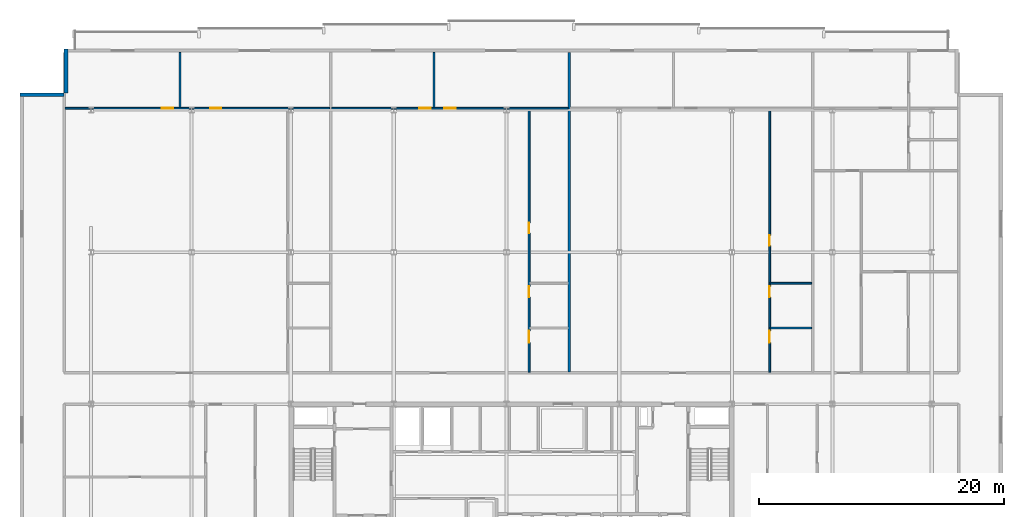
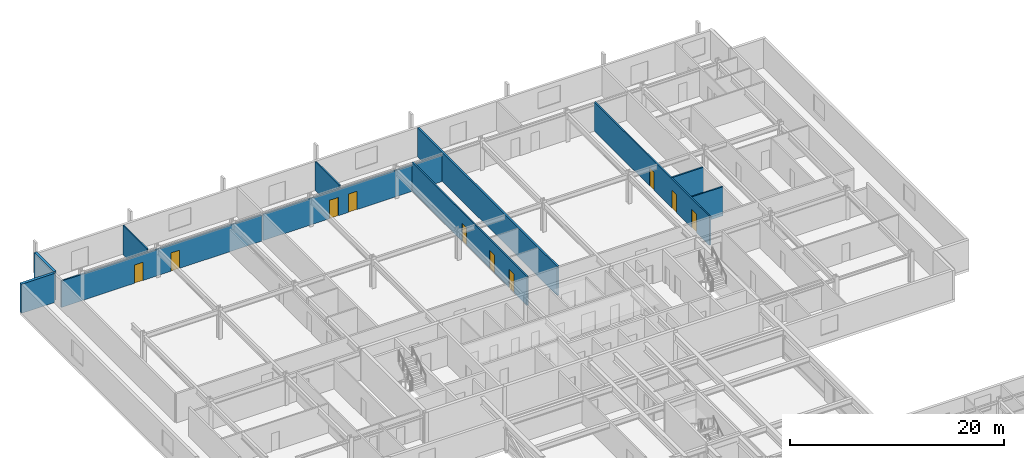
# One storey, part 26 of 35: 11 walls, 10 doors, 10 openings.
"""IFC4 building model written with IfcOpenShell, lengths in metres."""

from ifc_helpers import new_model, si_unit, direction, frame, frame_2d, origin, place, context, subcontext, project, spatial, rectangle, extrude, material, layer, layer_set, type_object, element, fill, save


model = new_model("IFC4")

# Units and contexts
model_context = context("Model", 3, precision=1e-05, world=origin(), true_north=direction((0.0, 1.0)))
body_context = subcontext(model_context, "Body", "Model", "MODEL_VIEW")
ifc_project = project(units=[si_unit("LENGTHUNIT", "METRE"), si_unit("AREAUNIT", "SQUARE_METRE"), si_unit("VOLUMEUNIT", "CUBIC_METRE"), si_unit("PLANEANGLEUNIT", "RADIAN"), si_unit("MASSUNIT", "GRAM", prefix="KILO")], contexts=[model_context])

# Site, building, storey
site_placement = place(None, origin())
site = spatial("IfcSite", under=ifc_project, at=site_placement, CompositionType="ELEMENT")
building_placement = place(site_placement, origin())
building = spatial("IfcBuilding", under=site, at=building_placement, Name="Korimba Cascade Residences", CompositionType="ELEMENT")
storey_placement = place(building_placement, frame((0.0, 0.0, 150.10009765625)))
storey = spatial("IfcBuildingStorey", under=building, at=storey_placement, Name="L43", CompositionType="ELEMENT", Elevation=150.10009765625)

# Walls
ifc_material_1 = material(Name="Precast concrete C40/50", Category="concrete")
ifc_layer_1 = layer(ifc_material_1, 0.300048828125)
ifc_layer_set_1 = layer_set([ifc_layer_1], Name="Precast concrete C40/50")
wall_type_1 = type_object("IfcWallType", Name="EW-STONE-300", PredefinedType="STANDARD", material=ifc_layer_set_1)
wall_1_placement = place(storey_placement, frame((57.75, 96.199951171875, 0.0), z_axis=(0.0, 0.0, 1.0), x_axis=(0.0, -1.0, 0.0)))
element("IfcWall", 1, at=wall_1_placement, inside=storey, type_object=wall_type_1, Name="L43 T1 Perimeter Stone Wall E07", PredefinedType="STANDARD", context=body_context, shape_type="SweptSolid", body=[
    extrude(rectangle(XDim=3.599853515625, YDim=0.300048828125, at=frame_2d((1.7998046875, 0.0))), origin(), (0.0, 0.0, 1.0), 3.309814453125),
])
wall_2_placement = place(storey_placement, frame((57.60009765625, 92.449951171875, 0.0), z_axis=(0.0, 0.0, 1.0), x_axis=(-1.0, 0.0, 0.0)))
element("IfcWall", 2, at=wall_2_placement, inside=storey, type_object=wall_type_1, Name="L43 T1 Perimeter Stone Wall E08", PredefinedType="STANDARD", context=body_context, shape_type="SweptSolid", body=[
    extrude(rectangle(XDim=3.60009765625, YDim=0.300048828125, at=frame_2d((1.800048828125, 0.0))), origin(), (0.0, 0.0, 1.0), 3.309814453125),
])
ifc_layer_2 = layer(ifc_material_1, 0.199951171875)
ifc_layer_set_2 = layer_set([ifc_layer_2], Name="Precast concrete C40/50")
wall_type_2 = type_object("IfcWallType", Name="WAL-IT-200", PredefinedType="PARTITIONING", material=ifc_layer_set_2)
wall_3_placement = place(storey_placement, frame((98.816162109375, 69.830078125, 0.0), z_axis=(0.0, 0.0, 1.0), x_axis=(0.0, 1.0, 0.0)))
element("IfcWall", 3, at=wall_3_placement, inside=storey, type_object=wall_type_2, Name="L43 Partition Wall WAL-L43-T1-DEM-2", PredefinedType="PARTITIONING", context=body_context, shape_type="SweptSolid", body=[
    extrude(rectangle(XDim=26.06982421875, YDim=0.199951171875, at=frame_2d((13.034912109375, 0.0))), origin(), (0.0, 0.0, 1.0), 3.309814453125),
])
ifc_material_2 = material(Name="Insulated Acoustic Stud Partition", Category="gypsum")
ifc_layer_3 = layer(ifc_material_2, 0.14990234375)
ifc_layer_set_3 = layer_set([ifc_layer_3], Name="Insulated Acoustic Stud Partition")
wall_type_3 = type_object("IfcWallType", Name="WAL-PART-150", PredefinedType="PARTITIONING", material=ifc_layer_set_3)
wall_4_placement = place(storey_placement, frame((67.05859375, 91.429931640625, 0.0), z_axis=(0.0, 0.0, 1.0), x_axis=(0.0, 1.0, 0.0)))
element("IfcWall", 4, at=wall_4_placement, inside=storey, type_object=wall_type_3, Name="L43 Partition Wall WAL-L43-T1-U01-OUTV", PredefinedType="PARTITIONING", context=body_context, shape_type="SweptSolid", body=[
    extrude(rectangle(XDim=4.469970703125, YDim=0.14990234375, at=frame_2d((2.23486328125, 0.0))), origin(), (0.0, 0.0, 1.0), 3.309814453125),
])

# Wall, openings, doors
wall_5_placement = place(storey_placement, frame((57.679931640625, 91.35009765625, 0.0), z_axis=(0.0, 0.0, 1.0), x_axis=(1.0, 0.0, 0.0)))
wall_5 = element("IfcWall", 5, at=wall_5_placement, inside=storey, type_object=wall_type_3, Name="L43 Partition Wall WAL-L43-T1-U01-HZ", PredefinedType="PARTITIONING", context=body_context, shape_type="SweptSolid", body=[
    extrude(rectangle(XDim=21.59716796875, YDim=0.14990234375, at=frame_2d((10.798583984375, 0.0))), origin(), (0.0, 0.0, 1.0), 3.00341796875),
])
opening_1_placement = place(wall_5_placement, frame((7.89013671875, 0.0, 0.0)))
opening_1 = element("IfcOpeningElement", 6, at=opening_1_placement, cuts=wall_5, Name="Opening D-ST1", PredefinedType="OPENING", context=body_context, shape_type="SweptSolid", body=[
    extrude(rectangle(XDim=0.919921875, YDim=2.080078125, at=frame_2d((0.4599609375, 1.0400390625))), frame((0.0, 0.0849609375, 0.0), z_axis=(0.0, -1.0, 0.0), x_axis=(1.0, 0.0, 0.0)), (0.0, 0.0, 1.0), 0.169921875),
])
opening_2_placement = place(wall_5_placement, frame((11.842041015625, 0.0, 0.0)))
opening_2 = element("IfcOpeningElement", 7, at=opening_2_placement, cuts=wall_5, Name="Opening D-ST1", PredefinedType="OPENING", context=body_context, shape_type="SweptSolid", body=[
    extrude(rectangle(XDim=0.919921875, YDim=2.080078125, at=frame_2d((0.4599609375, 1.0400390625))), frame((0.0, 0.0849609375, 0.0), z_axis=(0.0, -1.0, 0.0), x_axis=(1.0, 0.0, 0.0)), (0.0, 0.0, 1.0), 0.169921875),
])
ifc_material_3 = material(Name="Fire-Rated Core Store Door", Category="wood")
door_type_1 = type_object("IfcDoorType", Name="DR-FD60-920", OperationType="NOTDEFINED", PredefinedType="DOOR", material=ifc_material_3)
door_1_placement = place(opening_1_placement, origin())
door_1 = element("IfcDoor", 8, at=door_1_placement, inside=storey, type_object=door_type_1, Name="L43-T1-U01 Sky Lobby Concierge Door", OperationType="SINGLE_SWING_LEFT", OverallHeight=2.080078125, OverallWidth=0.919921875, PredefinedType="DOOR", context=body_context, shape_type="SweptSolid", body=[
    extrude(rectangle(XDim=0.919921875, YDim=2.080078125, at=frame_2d((0.4599609375, 1.0400390625))), frame((0.0, 0.02490234375, 0.0), z_axis=(0.0, -1.0, 0.0), x_axis=(1.0, 0.0, 0.0)), (0.0, 0.0, 1.0), 0.050048828125),
])
fill(opening_1, door_1)
door_2_placement = place(opening_2_placement, origin())
door_2 = element("IfcDoor", 9, at=door_2_placement, inside=storey, type_object=door_type_1, Name="L43-T1-U01 Horizon Observation Atrium Door", OperationType="SINGLE_SWING_RIGHT", OverallHeight=2.080078125, OverallWidth=0.919921875, PredefinedType="DOOR", context=body_context, shape_type="SweptSolid", body=[
    extrude(rectangle(XDim=0.919921875, YDim=2.080078125, at=frame_2d((0.4599609375, 1.0400390625))), frame((0.0, 0.02490234375, 0.0), z_axis=(0.0, -1.0, 0.0), x_axis=(1.0, 0.0, 0.0)), (0.0, 0.0, 1.0), 0.050048828125),
])
fill(opening_2, door_2)

wall_6_placement = place(storey_placement, frame((95.546142578125, 69.81005859375, 0.0), z_axis=(0.0, 0.0, 1.0), x_axis=(0.0, 1.0, 0.0)))
wall_6 = element("IfcWall", 10, at=wall_6_placement, inside=storey, type_object=wall_type_3, Name="L43 Partition Wall WAL-L43-T1-U02-WCV", PredefinedType="PARTITIONING", context=body_context, shape_type="SweptSolid", body=[
    extrude(rectangle(XDim=21.47998046875, YDim=0.14990234375, at=frame_2d((10.739990234375, 0.0))), origin(), (0.0, 0.0, 1.0), 3.309814453125),
])
opening_3_placement = place(wall_6_placement, frame((2.406005859375, 0.0, 0.0)))
opening_3 = element("IfcOpeningElement", 11, at=opening_3_placement, cuts=wall_6, Name="Opening D-AC1", PredefinedType="OPENING", context=body_context, shape_type="SweptSolid", body=[
    extrude(rectangle(XDim=0.9599609375, YDim=2.10009765625, at=frame_2d((0.47998046875, 1.050048828125))), frame((0.0, 0.0849609375, 0.0), z_axis=(0.0, -1.0, 0.0), x_axis=(1.0, 0.0, 0.0)), (0.0, 0.0, 1.0), 0.169921875),
])
opening_4_placement = place(wall_6_placement, frame((6.132568359375, 0.0, 0.0)))
opening_4 = element("IfcOpeningElement", 12, at=opening_4_placement, cuts=wall_6, Name="Opening D-IN2", PredefinedType="OPENING", context=body_context, shape_type="SweptSolid", body=[
    extrude(rectangle(XDim=0.8798828125, YDim=2.06005859375, at=frame_2d((0.43994140625, 1.030029296875))), frame((0.0, 0.0849609375, 0.0), z_axis=(0.0, -1.0, 0.0), x_axis=(1.0, 0.0, 0.0)), (0.0, 0.0, 1.0), 0.169921875),
])
opening_5_placement = place(wall_6_placement, frame((11.3359375, 0.0, 0.0)))
opening_5 = element("IfcOpeningElement", 13, at=opening_5_placement, cuts=wall_6, Name="Opening D-BT1", PredefinedType="OPENING", context=body_context, shape_type="SweptSolid", body=[
    extrude(rectangle(XDim=0.840087890625, YDim=2.0400390625, at=frame_2d((0.419921875, 1.02001953125))), frame((0.0, 0.0849609375, 0.0), z_axis=(0.0, -1.0, 0.0), x_axis=(1.0, 0.0, 0.0)), (0.0, 0.0, 1.0), 0.169921875),
])
ifc_material_4 = material(Name="Accessible Acoustic Timber WC Door", Category="wood")
door_type_2 = type_object("IfcDoorType", Name="DR-ACC-950", OperationType="NOTDEFINED", PredefinedType="DOOR", material=ifc_material_4)
door_3_placement = place(opening_3_placement, origin())
door_3 = element("IfcDoor", 14, at=door_3_placement, inside=storey, type_object=door_type_2, Name="L43-T1-U02 Accessible WC Door", OperationType="SINGLE_SWING_LEFT", OverallHeight=2.10009765625, OverallWidth=0.9599609375, PredefinedType="DOOR", context=body_context, shape_type="SweptSolid", body=[
    extrude(rectangle(XDim=0.9599609375, YDim=2.10009765625, at=frame_2d((0.47998046875, 1.050048828125))), frame((0.0, 0.02490234375, 0.0), z_axis=(0.0, -1.0, 0.0), x_axis=(1.0, 0.0, 0.0)), (0.0, 0.0, 1.0), 0.050048828125),
])
fill(opening_3, door_3)
ifc_material_5 = material(Name="Moisture-Resistant Bathroom Timber Door", Category="wood")
door_type_3 = type_object("IfcDoorType", Name="DR-INT-850", OperationType="NOTDEFINED", PredefinedType="DOOR", material=ifc_material_5)
door_4_placement = place(opening_5_placement, origin())
door_4 = element("IfcDoor", 15, at=door_4_placement, inside=storey, type_object=door_type_3, Name="L43-T1-U02 Suite Store Door", OperationType="SINGLE_SWING_LEFT", OverallHeight=2.0400390625, OverallWidth=0.840087890625, PredefinedType="DOOR", context=body_context, shape_type="SweptSolid", body=[
    extrude(rectangle(XDim=0.840087890625, YDim=2.0400390625, at=frame_2d((0.419921875, 1.02001953125))), frame((0.0, 0.02490234375, 0.0), z_axis=(0.0, -1.0, 0.0), x_axis=(1.0, 0.0, 0.0)), (0.0, 0.0, 1.0), 0.050048828125),
])
fill(opening_5, door_4)
ifc_material_6 = material(Name="Acoustic Timber Bedroom Door", Category="wood")
door_type_4 = type_object("IfcDoorType", Name="DR-INT-880", OperationType="NOTDEFINED", PredefinedType="DOOR", material=ifc_material_6)
door_5_placement = place(opening_4_placement, origin())
door_5 = element("IfcDoor", 16, at=door_5_placement, inside=storey, type_object=door_type_4, Name="L43-T1-U02 Restroom WC Door", OperationType="SINGLE_SWING_RIGHT", OverallHeight=2.06005859375, OverallWidth=0.8798828125, PredefinedType="DOOR", context=body_context, shape_type="SweptSolid", body=[
    extrude(rectangle(XDim=0.8798828125, YDim=2.06005859375, at=frame_2d((0.43994140625, 1.030029296875))), frame((0.0, 0.02490234375, 0.0), z_axis=(0.0, -1.0, 0.0), x_axis=(1.0, 0.0, 0.0)), (0.0, 0.0, 1.0), 0.050048828125),
])
fill(opening_4, door_5)

# Wall
wall_7_placement = place(storey_placement, frame((87.781494140625, 91.429931640625, 0.0), z_axis=(0.0, 0.0, 1.0), x_axis=(0.0, 1.0, 0.0)))
element("IfcWall", 17, at=wall_7_placement, inside=storey, type_object=wall_type_3, Name="L43 Partition Wall WAL-L43-T1-U02-OUTV", PredefinedType="PARTITIONING", context=body_context, shape_type="SweptSolid", body=[
    extrude(rectangle(XDim=4.469970703125, YDim=0.14990234375, at=frame_2d((2.23486328125, 0.0))), origin(), (0.0, 0.0, 1.0), 3.309814453125),
])

# Wall, openings, doors
wall_8_placement = place(storey_placement, frame((79.43701171875, 91.35009765625, 0.0), z_axis=(0.0, 0.0, 1.0), x_axis=(1.0, 0.0, 0.0)))
wall_8 = element("IfcWall", 18, at=wall_8_placement, inside=storey, type_object=wall_type_3, Name="L43 Partition Wall WAL-L43-T1-U02-HZ", PredefinedType="PARTITIONING", context=body_context, shape_type="SweptSolid", body=[
    extrude(rectangle(XDim=19.299072265625, YDim=0.14990234375, at=frame_2d((9.6494140625, 0.0))), origin(), (0.0, 0.0, 1.0), 3.00341796875),
])
opening_6_placement = place(wall_8_placement, frame((7.154541015625, 0.0, 0.0)))
opening_6 = element("IfcOpeningElement", 19, at=opening_6_placement, cuts=wall_8, Name="Opening D-IN0", PredefinedType="OPENING", context=body_context, shape_type="SweptSolid", body=[
    extrude(rectangle(XDim=0.93994140625, YDim=2.10009765625, at=frame_2d((0.469970703125, 1.050048828125))), frame((0.0, 0.0849609375, 0.0), z_axis=(0.0, -1.0, 0.0), x_axis=(1.0, 0.0, 0.0)), (0.0, 0.0, 1.0), 0.169921875),
])
opening_7_placement = place(wall_8_placement, frame((9.179443359375, 0.0, 0.0)))
opening_7 = element("IfcOpeningElement", 20, at=opening_7_placement, cuts=wall_8, Name="Opening D-IN0", PredefinedType="OPENING", context=body_context, shape_type="SweptSolid", body=[
    extrude(rectangle(XDim=0.93994140625, YDim=2.10009765625, at=frame_2d((0.469970703125, 1.050048828125))), frame((0.0, 0.0849609375, 0.0), z_axis=(0.0, -1.0, 0.0), x_axis=(1.0, 0.0, 0.0)), (0.0, 0.0, 1.0), 0.169921875),
])
ifc_material_7 = material(Name="Acoustic Timber Living Archway Door", Category="wood")
door_type_5 = type_object("IfcDoorType", Name="DR-INT-950", OperationType="NOTDEFINED", PredefinedType="DOOR", material=ifc_material_7)
door_6_placement = place(opening_6_placement, origin())
door_6 = element("IfcDoor", 21, at=door_6_placement, inside=storey, type_object=door_type_5, Name="L43-T1-U02 Fitness Pilates Gym Door", OperationType="SINGLE_SWING_RIGHT", OverallHeight=2.10009765625, OverallWidth=0.93994140625, PredefinedType="DOOR", context=body_context, shape_type="SweptSolid", body=[
    extrude(rectangle(XDim=0.93994140625, YDim=2.10009765625, at=frame_2d((0.469970703125, 1.050048828125))), frame((0.0, 0.02490234375, 0.0), z_axis=(0.0, -1.0, 0.0), x_axis=(1.0, 0.0, 0.0)), (0.0, 0.0, 1.0), 0.050048828125),
])
fill(opening_6, door_6)
door_7_placement = place(opening_7_placement, origin())
door_7 = element("IfcDoor", 22, at=door_7_placement, inside=storey, type_object=door_type_5, Name="L43-T1-U02 Private Screening Cinema Door", OperationType="SINGLE_SWING_LEFT", OverallHeight=2.10009765625, OverallWidth=0.93994140625, PredefinedType="DOOR", context=body_context, shape_type="SweptSolid", body=[
    extrude(rectangle(XDim=0.93994140625, YDim=2.10009765625, at=frame_2d((0.469970703125, 1.050048828125))), frame((0.0, 0.02490234375, 0.0), z_axis=(0.0, -1.0, 0.0), x_axis=(1.0, 0.0, 0.0)), (0.0, 0.0, 1.0), 0.050048828125),
])
fill(opening_7, door_7)

# Walls
for number, where, z_axis, x_axis, name in (
    (23, (115.2373046875, 73.419921875, 0.0), (0.0, 0.0, 1.0), (1.0, 0.0, 0.0), "L43 Partition Wall WAL-L43-T1-U03-WCH"),
    (24, (115.2373046875, 77.070068359375, 0.0), (0.0, 0.0, 1.0), (1.0, 0.0, 0.0), "L43 Partition Wall WAL-L43-T1-U03-WCH2"),
):
    element("IfcWall", number, at=place(storey_placement, frame(where, z_axis=z_axis, x_axis=x_axis)), inside=storey, type_object=wall_type_3, Name=name, PredefinedType="PARTITIONING", context=body_context, shape_type="SweptSolid", body=[
        extrude(rectangle(XDim=3.35986328125, YDim=0.14990234375, at=frame_2d((1.679931640625, 0.0))), origin(), (0.0, 0.0, 1.0), 3.309814453125),
    ])

# Wall, openings, doors
wall_9_placement = place(storey_placement, frame((115.17724609375, 69.81005859375, 0.0), z_axis=(0.0, 0.0, 1.0), x_axis=(0.0, 1.0, 0.0)))
wall_9 = element("IfcWall", 25, at=wall_9_placement, inside=storey, type_object=wall_type_3, Name="L43 Partition Wall WAL-L43-T1-U03-WCV", PredefinedType="PARTITIONING", context=body_context, shape_type="SweptSolid", body=[
    extrude(rectangle(XDim=21.47998046875, YDim=0.14990234375, at=frame_2d((10.739990234375, 0.0))), origin(), (0.0, 0.0, 1.0), 3.309814453125),
])
opening_8_placement = place(wall_9_placement, frame((2.406005859375, 0.0, 0.0)))
opening_8 = element("IfcOpeningElement", 26, at=opening_8_placement, cuts=wall_9, Name="Opening D-AC1", PredefinedType="OPENING", context=body_context, shape_type="SweptSolid", body=[
    extrude(rectangle(XDim=0.9599609375, YDim=2.10009765625, at=frame_2d((0.47998046875, 1.050048828125))), frame((0.0, 0.0849609375, 0.0), z_axis=(0.0, -1.0, 0.0), x_axis=(1.0, 0.0, 0.0)), (0.0, 0.0, 1.0), 0.169921875),
])
opening_9_placement = place(wall_9_placement, frame((6.132568359375, 0.0, 0.0)))
opening_9 = element("IfcOpeningElement", 27, at=opening_9_placement, cuts=wall_9, Name="Opening D-IN2", PredefinedType="OPENING", context=body_context, shape_type="SweptSolid", body=[
    extrude(rectangle(XDim=0.8798828125, YDim=2.06005859375, at=frame_2d((0.43994140625, 1.030029296875))), frame((0.0, 0.0849609375, 0.0), z_axis=(0.0, -1.0, 0.0), x_axis=(1.0, 0.0, 0.0)), (0.0, 0.0, 1.0), 0.169921875),
])
opening_10_placement = place(wall_9_placement, frame((10.320068359375, 0.0, 0.0)))
opening_10 = element("IfcOpeningElement", 28, at=opening_10_placement, cuts=wall_9, Name="Opening D-BT1", PredefinedType="OPENING", context=body_context, shape_type="SweptSolid", body=[
    extrude(rectangle(XDim=0.840087890625, YDim=2.0400390625, at=frame_2d((0.419921875, 1.02001953125))), frame((0.0, 0.0849609375, 0.0), z_axis=(0.0, -1.0, 0.0), x_axis=(1.0, 0.0, 0.0)), (0.0, 0.0, 1.0), 0.169921875),
])
door_8_placement = place(opening_8_placement, origin())
door_8 = element("IfcDoor", 29, at=door_8_placement, inside=storey, type_object=door_type_2, Name="L43-T1-U03 Accessible WC Door", OperationType="SINGLE_SWING_RIGHT", OverallHeight=2.10009765625, OverallWidth=0.9599609375, PredefinedType="DOOR", context=body_context, shape_type="SweptSolid", body=[
    extrude(rectangle(XDim=0.9599609375, YDim=2.10009765625, at=frame_2d((0.47998046875, 1.050048828125))), frame((0.0, 0.02490234375, 0.0), z_axis=(0.0, -1.0, 0.0), x_axis=(1.0, 0.0, 0.0)), (0.0, 0.0, 1.0), 0.050048828125),
])
fill(opening_8, door_8)
door_9_placement = place(opening_10_placement, origin())
door_9 = element("IfcDoor", 30, at=door_9_placement, inside=storey, type_object=door_type_3, Name="L43-T1-U03 Suite Store Door", OperationType="SINGLE_SWING_RIGHT", OverallHeight=2.0400390625, OverallWidth=0.840087890625, PredefinedType="DOOR", context=body_context, shape_type="SweptSolid", body=[
    extrude(rectangle(XDim=0.840087890625, YDim=2.0400390625, at=frame_2d((0.419921875, 1.02001953125))), frame((0.0, 0.02490234375, 0.0), z_axis=(0.0, -1.0, 0.0), x_axis=(1.0, 0.0, 0.0)), (0.0, 0.0, 1.0), 0.050048828125),
])
fill(opening_10, door_9)
door_10_placement = place(opening_9_placement, origin())
door_10 = element("IfcDoor", 31, at=door_10_placement, inside=storey, type_object=door_type_4, Name="L43-T1-U03 Restroom WC Door", OperationType="SINGLE_SWING_LEFT", OverallHeight=2.06005859375, OverallWidth=0.8798828125, PredefinedType="DOOR", context=body_context, shape_type="SweptSolid", body=[
    extrude(rectangle(XDim=0.8798828125, YDim=2.06005859375, at=frame_2d((0.43994140625, 1.030029296875))), frame((0.0, 0.02490234375, 0.0), z_axis=(0.0, -1.0, 0.0), x_axis=(1.0, 0.0, 0.0)), (0.0, 0.0, 1.0), 0.050048828125),
])
fill(opening_9, door_10)

save(model, "model.ifc")
